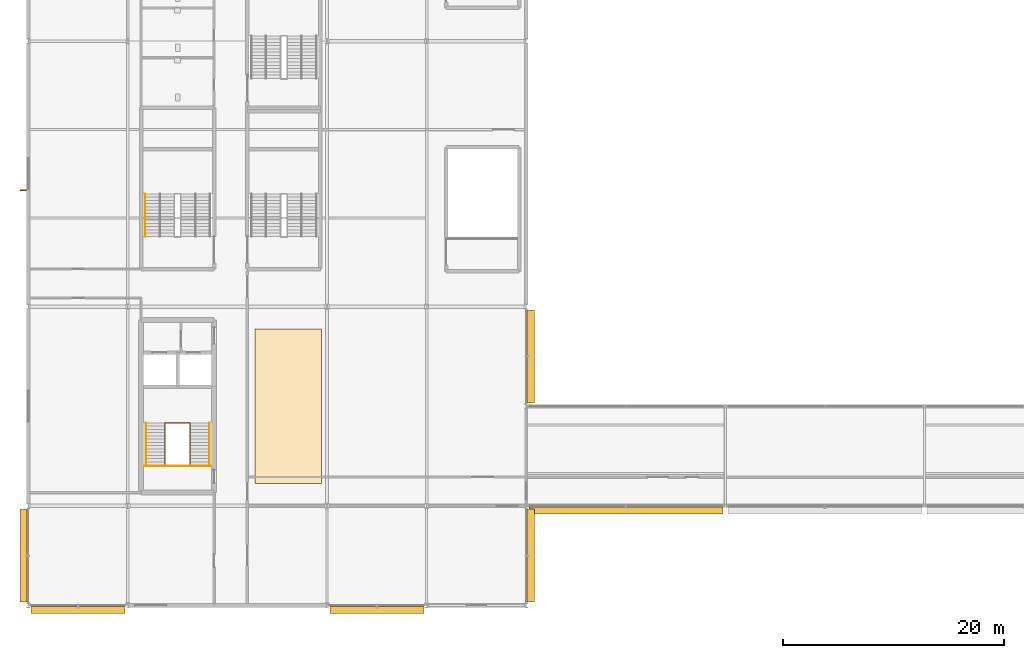
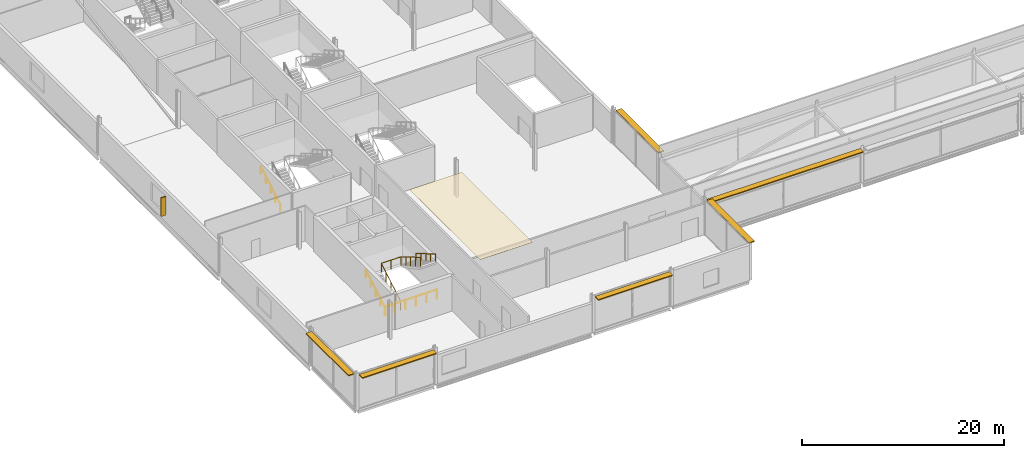
# One storey, part 65 of 73: 7 shading devices, 5 railings, 1 covering.
"""IFC4 building model written with IfcOpenShell, lengths in metres."""

from ifc_helpers import new_model, si_unit, direction, frame, origin, origin_2d, place, context, subcontext, project, spatial, polyline, rectangle, circle, outline, extrude, material, layer, layer_set, type_object, element, save


model = new_model("IFC4")

# Units and contexts
model_context = context("Model", 3, precision=1e-05, world=origin(), true_north=direction((0.0, 1.0)))
body_context = subcontext(model_context, "Body", "Model", "MODEL_VIEW")
ifc_project = project(units=[si_unit("LENGTHUNIT", "METRE"), si_unit("AREAUNIT", "SQUARE_METRE"), si_unit("VOLUMEUNIT", "CUBIC_METRE"), si_unit("PLANEANGLEUNIT", "RADIAN"), si_unit("MASSUNIT", "GRAM", prefix="KILO")], contexts=[model_context])

# Site, building, storey
site_placement = place(None, origin())
site = spatial("IfcSite", under=ifc_project, at=site_placement, CompositionType="ELEMENT")
building_placement = place(site_placement, origin())
building = spatial("IfcBuilding", under=site, at=building_placement, Name="Kisiwana Market Hall", CompositionType="ELEMENT")
storey_placement = place(building_placement, frame((0.0, 0.0, 33.300048828125)))
storey = spatial("IfcBuildingStorey", under=building, at=storey_placement, Name="L07", CompositionType="ELEMENT", Elevation=33.300048828125)

# Covering
ifc_material_1 = material(Name="Mineral-fibre acoustic ceiling board")
ifc_layer = layer(ifc_material_1, 0.02490234375)
ifc_layer_set = layer_set([ifc_layer], Name="COV-CEIL-AC")
covering_type = type_object("IfcCoveringType", Name="COV-CEIL-AC", PredefinedType="CEILING", material=ifc_layer_set)
covering_placement = place(storey_placement, frame((0.0, 0.0, 4.22998046875)))
element("IfcCovering", 1, at=covering_placement, inside=storey, type_object=covering_type, Name="Acoustic ceiling grid L07-019", PredefinedType="CEILING", context=body_context, shape_type="SweptSolid", body=[
    extrude(outline(polyline([(20.5, 20.0), (26.5, 20.0), (26.5, 34.0), (20.5, 34.0), (20.5, 20.0)])), origin(), (0.0, 0.0, 1.0), 0.02490234375),
])

# Railings
ifc_material_2 = material(Name="Steel S275", Category="steel")
railing_type_1 = type_object("IfcRailingType", Name="RL-GUARD-1100", PredefinedType="GUARDRAIL", material=ifc_material_2)
railing_1_placement = place(storey_placement, frame((12.375, 21.674560546875, 0.0)))
element("IfcRailing", 2, at=railing_1_placement, inside=storey, type_object=railing_type_1, Name="Stair ST-W2-L07 inner-well guardrail (RL-1051)", PredefinedType="GUARDRAIL", context=body_context, shape_type="SweptSolid", body=[
    extrude(circle(Radius=0.02392578125, at=origin_2d()), frame((0.0, 0.0, 1.076171875), z_axis=(0.0, 0.86250956776, 0.506040754805), x_axis=(-1.0, 0.0, 0.0)), (0.0, 0.0, 1.0), 4.4462890625),
    extrude(circle(Radius=0.02392578125, at=origin_2d()), frame((0.0, 3.8349609375, 3.326171875), z_axis=(1.0, 0.0, 0.0), x_axis=(0.0, 1.0, 0.0)), (0.0, 0.0, 1.0), 2.25),
    extrude(circle(Radius=0.02392578125, at=origin_2d()), frame((2.25, 3.8349609375, 3.326171875), z_axis=(0.0, -0.86250956776, 0.506040754805), x_axis=(1.0, 0.0, 0.0)), (0.0, 0.0, 1.0), 4.4462890625),
    extrude(circle(Radius=0.02099609375, at=origin_2d()), origin(), (0.0, 0.0, 1.0), 1.052001953125),
    extrude(circle(Radius=0.02099609375, at=origin_2d()), frame((0.0, 0.958740234375, 0.5625)), (0.0, 0.0, 1.0), 1.052001953125),
    extrude(circle(Radius=0.02099609375, at=origin_2d()), frame((0.0, 1.91748046875, 1.125)), (0.0, 0.0, 1.0), 1.052001953125),
    extrude(circle(Radius=0.02099609375, at=origin_2d()), frame((0.0, 2.876220703125, 1.6875)), (0.0, 0.0, 1.0), 1.052001953125),
    extrude(circle(Radius=0.02099609375, at=origin_2d()), frame((0.0, 3.8349609375, 2.25)), (0.0, 0.0, 1.0), 1.052001953125),
    extrude(circle(Radius=0.02099609375, at=origin_2d()), frame((1.125, 3.8349609375, 2.25)), (0.0, 0.0, 1.0), 1.052001953125),
    extrude(circle(Radius=0.02099609375, at=origin_2d()), frame((2.25, 3.8349609375, 2.25)), (0.0, 0.0, 1.0), 1.052001953125),
    extrude(circle(Radius=0.02099609375, at=origin_2d()), frame((2.25, 2.876220703125, 2.8125)), (0.0, 0.0, 1.0), 1.052001953125),
    extrude(circle(Radius=0.02099609375, at=origin_2d()), frame((2.25, 1.91748046875, 3.375)), (0.0, 0.0, 1.0), 1.052001953125),
    extrude(circle(Radius=0.02099609375, at=origin_2d()), frame((2.25, 0.958740234375, 3.9375)), (0.0, 0.0, 1.0), 1.052001953125),
    extrude(circle(Radius=0.02099609375, at=origin_2d()), frame((2.25, 0.0, 4.5)), (0.0, 0.0, 1.0), 1.052001953125),
])
railing_2_placement = place(storey_placement, frame((10.5048828125, 21.594482421875, 0.0)))
element("IfcRailing", 3, at=railing_2_placement, inside=storey, type_object=railing_type_1, Name="Stair ST-W2-L07 landing edge guardrail (RL-1054)", PredefinedType="GUARDRAIL", context=body_context, shape_type="SweptSolid", body=[
    extrude(circle(Radius=0.02392578125, at=origin_2d()), frame((0.0, 0.0, 1.076171875), z_axis=(1.0, 0.0, 0.0), x_axis=(0.0, 1.0, 0.0)), (0.0, 0.0, 1.0), 5.990234375),
    extrude(circle(Radius=0.02099609375, at=origin_2d()), origin(), (0.0, 0.0, 1.0), 1.052001953125),
    extrude(circle(Radius=0.02099609375, at=origin_2d()), frame((1.197998046875, 0.0, 0.0)), (0.0, 0.0, 1.0), 1.052001953125),
    extrude(circle(Radius=0.02099609375, at=origin_2d()), frame((2.39599609375, 0.0, 0.0)), (0.0, 0.0, 1.0), 1.052001953125),
    extrude(circle(Radius=0.02099609375, at=origin_2d()), frame((3.59423828125, 0.0, 0.0)), (0.0, 0.0, 1.0), 1.052001953125),
    extrude(circle(Radius=0.02099609375, at=origin_2d()), frame((4.792236328125, 0.0, 0.0)), (0.0, 0.0, 1.0), 1.052001953125),
    extrude(circle(Radius=0.02099609375, at=origin_2d()), frame((5.990234375, 0.0, 0.0)), (0.0, 0.0, 1.0), 1.052001953125),
])
ifc_material_3 = material(Name="Steel S275", Category="steel")
railing_type_2 = type_object("IfcRailingType", Name="RL-HAND-900", PredefinedType="HANDRAIL", material=ifc_material_3)
railing_3_placement = place(storey_placement, frame((10.635009765625, 21.674560546875, 0.0)))
element("IfcRailing", 4, at=railing_3_placement, inside=storey, type_object=railing_type_2, Name="Stair ST-W2-L07 flight 1 handrail (RL-1052)", PredefinedType="HANDRAIL", context=body_context, shape_type="SweptSolid", body=[
    extrude(circle(Radius=0.02392578125, at=origin_2d()), frame((0.0, 0.0, 0.8759765625), z_axis=(0.0, 0.86250956776, 0.506040754805), x_axis=(-1.0, 0.0, 0.0)), (0.0, 0.0, 1.0), 4.4462890625),
    extrude(circle(Radius=0.02099609375, at=origin_2d()), origin(), (0.0, 0.0, 1.0), 0.851806640625),
    extrude(circle(Radius=0.02099609375, at=origin_2d()), frame((0.0, 0.958740234375, 0.5625)), (0.0, 0.0, 1.0), 0.851806640625),
    extrude(circle(Radius=0.02099609375, at=origin_2d()), frame((0.0, 1.91748046875, 1.125)), (0.0, 0.0, 1.0), 0.851806640625),
    extrude(circle(Radius=0.02099609375, at=origin_2d()), frame((0.0, 2.876220703125, 1.6875)), (0.0, 0.0, 1.0), 0.851806640625),
    extrude(circle(Radius=0.02099609375, at=origin_2d()), frame((0.0, 3.8349609375, 2.25)), (0.0, 0.0, 1.0), 0.851806640625),
])
railing_4_placement = place(storey_placement, frame((16.364990234375, 25.509521484375, 2.25)))
element("IfcRailing", 5, at=railing_4_placement, inside=storey, type_object=railing_type_2, Name="Stair ST-W2-L07 flight 2 handrail (RL-1053)", PredefinedType="HANDRAIL", context=body_context, shape_type="SweptSolid", body=[
    extrude(circle(Radius=0.02392578125, at=origin_2d()), frame((0.0, 0.0, 0.8759765625), z_axis=(0.0, -0.86250956776, 0.506040754805), x_axis=(1.0, 0.0, 0.0)), (0.0, 0.0, 1.0), 4.4462890625),
    extrude(circle(Radius=0.02099609375, at=origin_2d()), origin(), (0.0, 0.0, 1.0), 0.851806640625),
    extrude(circle(Radius=0.02099609375, at=origin_2d()), frame((0.0, -0.958740234375, 0.5625)), (0.0, 0.0, 1.0), 0.851806640625),
    extrude(circle(Radius=0.02099609375, at=origin_2d()), frame((0.0, -1.91748046875, 1.125)), (0.0, 0.0, 1.0), 0.851806640625),
    extrude(circle(Radius=0.02099609375, at=origin_2d()), frame((0.0, -2.876220703125, 1.6875)), (0.0, 0.0, 1.0), 0.851806640625),
    extrude(circle(Radius=0.02099609375, at=origin_2d()), frame((0.0, -3.8349609375, 2.25)), (0.0, 0.0, 1.0), 0.851806640625),
])
railing_5_placement = place(storey_placement, frame((10.570068359375, 42.360107421875, 0.0)))
element("IfcRailing", 6, at=railing_5_placement, inside=storey, type_object=railing_type_2, Name="Stair ST-W3-L07 flight 1 handrail (RL-1068)", PredefinedType="HANDRAIL", context=body_context, shape_type="SweptSolid", body=[
    extrude(circle(Radius=0.02392578125, at=origin_2d()), frame((0.0, 0.0, 0.8759765625), z_axis=(0.0, 0.86250956776, 0.506040754805), x_axis=(-1.0, 0.0, 0.0)), (0.0, 0.0, 1.0), 4.4462890625),
    extrude(circle(Radius=0.02099609375, at=origin_2d()), origin(), (0.0, 0.0, 1.0), 0.851806640625),
    extrude(circle(Radius=0.02099609375, at=origin_2d()), frame((0.0, 0.958740234375, 0.5625)), (0.0, 0.0, 1.0), 0.851806640625),
    extrude(circle(Radius=0.02099609375, at=origin_2d()), frame((0.0, 1.91748046875, 1.125)), (0.0, 0.0, 1.0), 0.851806640625),
    extrude(circle(Radius=0.02099609375, at=origin_2d()), frame((0.0, 2.876220703125, 1.6875)), (0.0, 0.0, 1.0), 0.851806640625),
    extrude(circle(Radius=0.02099609375, at=origin_2d()), frame((0.0, 3.8349609375, 2.25)), (0.0, 0.0, 1.0), 0.851806640625),
])

# Shading devices
ifc_material_4 = material(Name="Aluminium alloy 6063-T6", Category="aluminium")
shading_device_type_1 = type_object("IfcShadingDeviceType", Name="SHD-JALOUSIE-H", PredefinedType="JALOUSIE", material=ifc_material_4)
for number, where, z_axis, x_axis, name in (
    (7, (4.5, 8.580078125, 4.074951171875), (0.0, 0.0, 1.0), (1.0, 0.0, 0.0), "Aluminium brise-soleil louvre SHD-156 SD-156"),
    (8, (31.5, 8.580078125, 4.074951171875), (0.0, 0.0, 1.0), (1.0, 0.0, 0.0), "Aluminium brise-soleil louvre SHD-157 SD-157"),
):
    element("IfcShadingDevice", number, at=place(storey_placement, frame(where, z_axis=z_axis, x_axis=x_axis)), inside=storey, type_object=shading_device_type_1, Name=name, PredefinedType="JALOUSIE", context=body_context, shape_type="SweptSolid", body=[
        extrude(rectangle(XDim=8.5, YDim=0.64990234375, at=origin_2d()), origin(), (0.0, 0.0, 1.0), 0.1201171875),
    ])
shading_device_1_placement = place(storey_placement, frame((54.012451171875, 17.580078125, 4.074951171875), z_axis=(0.0, 0.0, 1.0), x_axis=(1.0, 0.0, 0.0)))
element("IfcShadingDevice", 9, at=shading_device_1_placement, inside=storey, type_object=shading_device_type_1, Name="Aluminium brise-soleil louvre SHD-159 SD-159", PredefinedType="JALOUSIE", context=body_context, shape_type="SweptSolid", body=[
    extrude(rectangle(XDim=17.52490234375, YDim=0.64990234375, at=origin_2d()), origin(), (0.0, 0.0, 1.0), 0.1201171875),
])
for number, where, z_axis, x_axis, name in (
    (10, (-0.419921875, 13.5, 4.074951171875), (0.0, 0.0, 1.0), (0.0, 1.0, 0.0), "Aluminium brise-soleil louvre SHD-165 SD-165"),
    (11, (45.419921875, 13.5, 4.074951171875), (0.0, 0.0, 1.0), (0.0, 1.0, 0.0), "Aluminium brise-soleil louvre SHD-168 SD-168"),
    (12, (45.419921875, 31.5, 4.074951171875), (0.0, 0.0, 1.0), (0.0, 1.0, 0.0), "Aluminium brise-soleil louvre SHD-169 SD-169"),
):
    element("IfcShadingDevice", number, at=place(storey_placement, frame(where, z_axis=z_axis, x_axis=x_axis)), inside=storey, type_object=shading_device_type_1, Name=name, PredefinedType="JALOUSIE", context=body_context, shape_type="SweptSolid", body=[
        extrude(rectangle(XDim=8.39990234375, YDim=0.64990234375, at=origin_2d()), origin(), (0.0, 0.0, 1.0), 0.1201171875),
    ])
ifc_material_5 = material(Name="Aluminium alloy 6063-T6", Category="aluminium")
shading_device_type_2 = type_object("IfcShadingDeviceType", Name="SHD-SHUTTER-V", PredefinedType="SHUTTER", material=ifc_material_5)
shading_device_2_placement = place(storey_placement, frame((-0.445068359375, 46.52001953125, 0.849853515625), z_axis=(0.0, 0.0, 1.0), x_axis=(0.0, 1.0, 0.0)))
element("IfcShadingDevice", 13, at=shading_device_2_placement, inside=storey, type_object=shading_device_type_2, Name="Vertical solar fin SHD-166 SD-166", PredefinedType="SHUTTER", context=body_context, shape_type="SweptSolid", body=[
    extrude(rectangle(XDim=0.1201171875, YDim=0.550048828125, at=origin_2d()), origin(), (0.0, 0.0, 1.0), 2.25),
])

save(model, "model.ifc")
